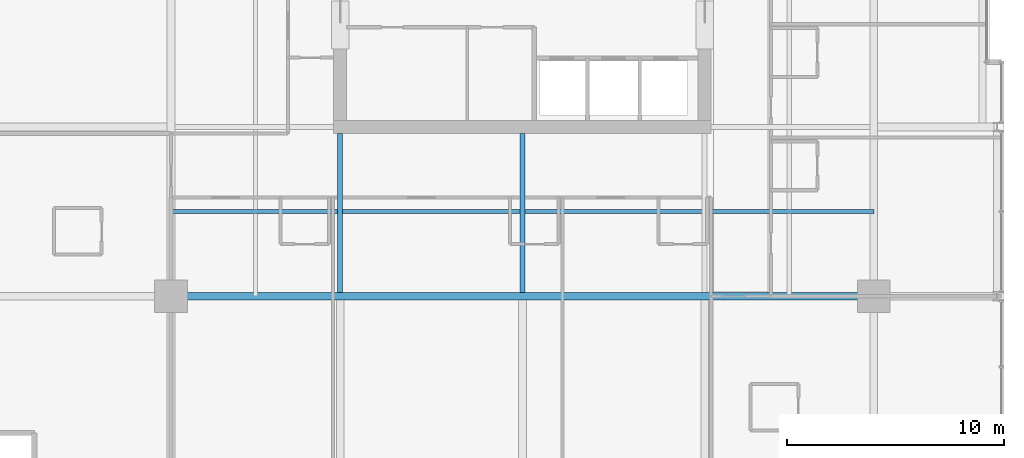
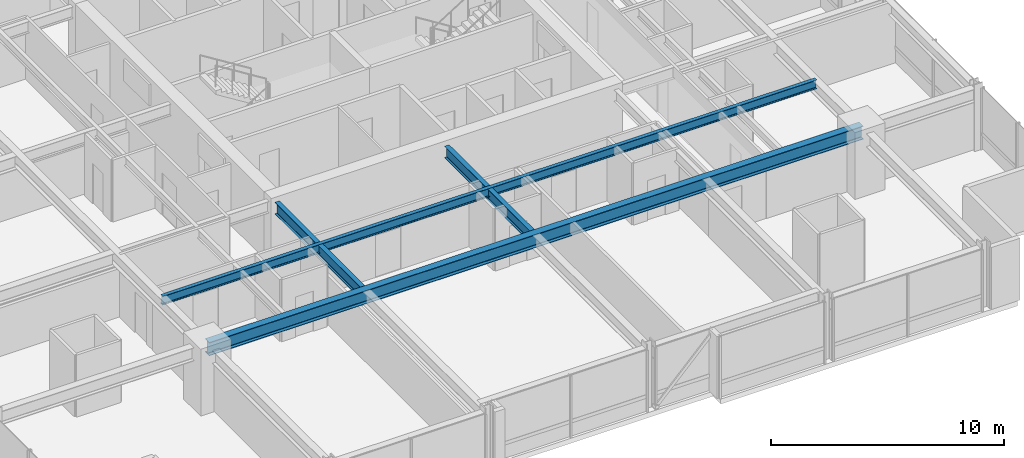
# One storey, part 6 of 35: 4 beams.
"""IFC4 building model written with IfcOpenShell, lengths in metres."""

from ifc_helpers import new_model, si_unit, direction, frame, origin, origin_2d, place, context, subcontext, project, spatial, i_section, extrude, material, material_profile, profile_set, type_object, element, save


model = new_model("IFC4")

# Units and contexts
model_context = context("Model", 3, precision=1e-05, world=origin(), true_north=direction((0.0, 1.0)))
body_context = subcontext(model_context, "Body", "Model", "MODEL_VIEW")
ifc_project = project(units=[si_unit("LENGTHUNIT", "METRE"), si_unit("AREAUNIT", "SQUARE_METRE"), si_unit("VOLUMEUNIT", "CUBIC_METRE"), si_unit("PLANEANGLEUNIT", "RADIAN"), si_unit("MASSUNIT", "GRAM", prefix="KILO")], contexts=[model_context])

# Site, building, storey
site_placement = place(None, origin())
site = spatial("IfcSite", under=ifc_project, at=site_placement, CompositionType="ELEMENT")
building_placement = place(site_placement, origin())
building = spatial("IfcBuilding", under=site, at=building_placement, Name="Drelvath Grand Hotel", CompositionType="ELEMENT")
storey_placement = place(building_placement, frame((0.0, 0.0, 123.300048828125)))
storey = spatial("IfcBuildingStorey", under=building, at=storey_placement, Name="L31", CompositionType="ELEMENT", Elevation=123.300048828125)

# Beams
ifc_material = material(Name="Steel ASTM A992 Gr 50", Category="steel")
ifc_material_profile_1 = material_profile(ifc_material, i_section(OverallWidth=0.19140625, OverallDepth=0.4599609375, WebThickness=0.010009765625, FlangeThickness=0.01611328125, FilletRadius=0.01611328125, at=origin_2d()), Name="W18X55")
ifc_profile_set_1 = profile_set([ifc_material_profile_1], Name="Steel ASTM A992 Gr 50")
beam_type_1 = type_object("IfcBeamType", Name="Composite Floor Joist W18X55", PredefinedType="JOIST", material=ifc_profile_set_1)
beam_1_placement = place(storey_placement, frame((-16.199951171875, 14.699951171875, 3.010009765625), z_axis=(1.0, 0.0, 0.0), x_axis=(0.0, 1.0, 0.0)))
element("IfcBeam", 1, at=beam_1_placement, inside=storey, type_object=beam_type_1, Name="L31 Floor Joist J1", PredefinedType="JOIST", context=body_context, shape_type="SweptSolid", body=[
    extrude(i_section(OverallWidth=0.19140625, OverallDepth=0.4599609375, WebThickness=0.010009765625, FlangeThickness=0.01611328125, FilletRadius=0.01611328125, at=origin_2d()), origin(), (0.0, 0.0, 1.0), 32.39990234375),
])
ifc_material_profile_2 = material_profile(ifc_material, i_section(OverallWidth=0.228271484375, OverallDepth=0.607666015625, WebThickness=0.01123046875, FlangeThickness=0.017333984375, FilletRadius=0.02001953125, at=origin_2d()), Name="W24X76")
ifc_profile_set_2 = profile_set([ifc_material_profile_2], Name="Steel ASTM A992 Gr 50")
beam_type_2 = type_object("IfcBeamType", Name="Primary Floor Girder W24X76", PredefinedType="BEAM", material=ifc_profile_set_2)
for number, where, z_axis, x_axis, name in (
    (2, (-8.39990234375, 10.977294921875, 2.93603515625), (0.0, 1.0, 0.0), (-1.0, 0.0, 0.0), "L31 South Core Tie 4"),
    (3, (0.0, 10.977294921875, 2.93603515625), (0.0, 1.0, 0.0), (-1.0, 0.0, 0.0), "L31 South Core Tie 5"),
):
    element("IfcBeam", number, at=place(storey_placement, frame(where, z_axis=z_axis, x_axis=x_axis)), inside=storey, type_object=beam_type_2, Name=name, PredefinedType="BEAM", context=body_context, shape_type="SweptSolid", body=[
        extrude(i_section(OverallWidth=0.228271484375, OverallDepth=0.607666015625, WebThickness=0.01123046875, FlangeThickness=0.017333984375, FilletRadius=0.02001953125, at=origin_2d()), origin(), (0.0, 0.0, 1.0), 7.32275390625),
    ])
ifc_material_profile_3 = material_profile(ifc_material, i_section(OverallWidth=0.354736328125, OverallDepth=0.695556640625, WebThickness=0.015380859375, FlangeThickness=0.025146484375, FilletRadius=0.02392578125, at=origin_2d()), Name="W27X146")
ifc_profile_set_3 = profile_set([ifc_material_profile_3], Name="Steel ASTM A992 Gr 50")
beam_type_3 = type_object("IfcBeamType", Name="Primary Floor Girder W27X146", PredefinedType="BEAM", material=ifc_profile_set_3)
beam_2_placement = place(storey_placement, frame((-16.199951171875, 10.800048828125, 2.892333984375), z_axis=(1.0, 0.0, 0.0), x_axis=(0.0, 1.0, 0.0)))
element("IfcBeam", 4, at=beam_2_placement, inside=storey, type_object=beam_type_3, Name="L31 Mega Ring Girder South", PredefinedType="BEAM", context=body_context, shape_type="SweptSolid", body=[
    extrude(i_section(OverallWidth=0.354736328125, OverallDepth=0.695556640625, WebThickness=0.015380859375, FlangeThickness=0.025146484375, FilletRadius=0.02392578125, at=origin_2d()), origin(), (0.0, 0.0, 1.0), 32.39990234375),
])

save(model, "model.ifc")
